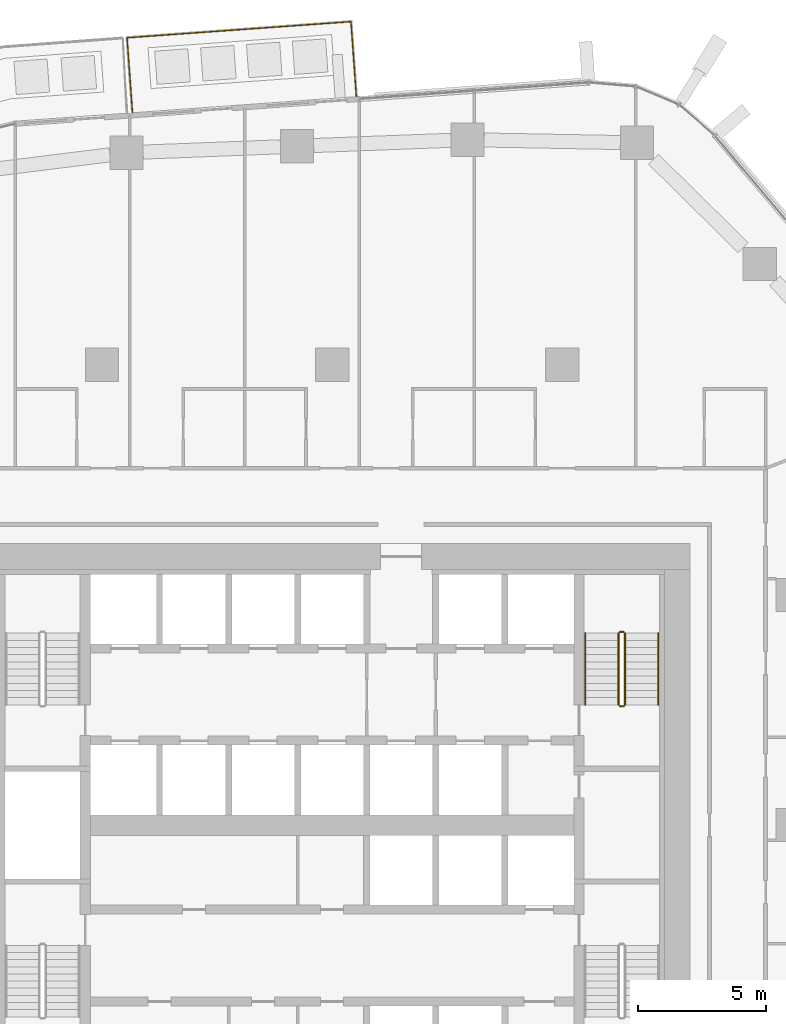
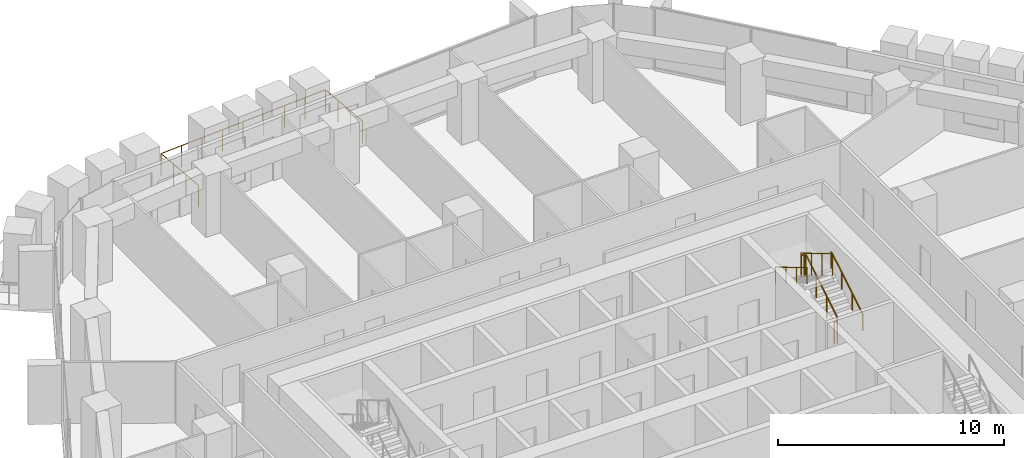
# One storey, part 23 of 24: 7 railings.
"""IFC4 building model written with IfcOpenShell, lengths in metres."""

from ifc_helpers import new_model, si_unit, direction, frame, origin, origin_2d, place, context, subcontext, project, spatial, circle, extrude, material, type_object, element, save


model = new_model("IFC4")

# Units and contexts
model_context = context("Model", 3, precision=1e-05, world=origin(), true_north=direction((0.0, 1.0)))
body_context = subcontext(model_context, "Body", "Model", "MODEL_VIEW")
ifc_project = project(units=[si_unit("LENGTHUNIT", "METRE"), si_unit("AREAUNIT", "SQUARE_METRE"), si_unit("VOLUMEUNIT", "CUBIC_METRE"), si_unit("PLANEANGLEUNIT", "RADIAN"), si_unit("MASSUNIT", "GRAM", prefix="KILO")], contexts=[model_context])

# Site, building, storey
site_placement = place(None, origin())
site = spatial("IfcSite", under=ifc_project, at=site_placement, CompositionType="ELEMENT")
building_placement = place(site_placement, origin())
building = spatial("IfcBuilding", under=site, at=building_placement, Name="Dongbaek Canopy Tower", CompositionType="ELEMENT")
storey_placement = place(building_placement, frame((0.0, 0.0, 106.300048828125)))
storey = spatial("IfcBuildingStorey", under=building, at=storey_placement, Name="L22", CompositionType="ELEMENT", Elevation=106.300048828125)

# Railings
ifc_material_1 = material(Name="Stainless steel", Category="steel")
railing_type_1 = type_object("IfcRailingType", Name="Balcony balustrade 1200", PredefinedType="BALUSTRADE", material=ifc_material_1)
railing_1_placement = place(storey_placement, frame((0.946044921875, 28.480712890625, 0.0)))
element("IfcRailing", 1, at=railing_1_placement, inside=storey, type_object=railing_type_1, Name="Balcony guard L22 2", PredefinedType="BALUSTRADE", context=body_context, shape_type="SweptSolid", body=[
    extrude(circle(Radius=0.02392578125, at=origin_2d()), frame((0.0, 0.0, 1.17578125), z_axis=(-0.071748667898, 0.997422743201, 0.0), x_axis=(-0.997422743201, -0.071748667898, 0.0)), (0.0, 0.0, 1.0), 2.93994140625),
    extrude(circle(Radius=0.02392578125, at=origin_2d()), frame((-0.2109375, 2.932373046875, 1.17578125), z_axis=(-0.997424550717, -0.071723536073, 0.0), x_axis=(0.071723536073, -0.997424550717, 0.0)), (0.0, 0.0, 1.0), 8.775390625),
    extrude(circle(Radius=0.02392578125, at=origin_2d()), frame((-8.963623046875, 2.302978515625, 1.17578125), z_axis=(0.071742725561, -0.99742317064, 0.0), x_axis=(0.99742317064, 0.071742725561, 0.0)), (0.0, 0.0, 1.0), 2.940185546875),
    extrude(circle(Radius=0.02099609375, at=origin_2d()), origin(), (0.0, 0.0, 1.0), 1.15185546875),
    extrude(circle(Radius=0.02099609375, at=origin_2d()), frame((-0.0703125, 0.9775390625, 0.0)), (0.0, 0.0, 1.0), 1.15185546875),
    extrude(circle(Radius=0.02099609375, at=origin_2d()), frame((-0.140625, 1.954833984375, 0.0)), (0.0, 0.0, 1.0), 1.15185546875),
    extrude(circle(Radius=0.02099609375, at=origin_2d()), frame((-0.2109375, 2.932373046875, 0.0)), (0.0, 0.0, 1.0), 1.15185546875),
    extrude(circle(Radius=0.02099609375, at=origin_2d()), frame((-1.304931640625, 2.853759765625, 0.0)), (0.0, 0.0, 1.0), 1.15185546875),
    extrude(circle(Radius=0.02099609375, at=origin_2d()), frame((-2.399169921875, 2.77490234375, 0.0)), (0.0, 0.0, 1.0), 1.15185546875),
    extrude(circle(Radius=0.02099609375, at=origin_2d()), frame((-3.4931640625, 2.6962890625, 0.0)), (0.0, 0.0, 1.0), 1.15185546875),
    extrude(circle(Radius=0.02099609375, at=origin_2d()), frame((-4.58740234375, 2.61767578125, 0.0)), (0.0, 0.0, 1.0), 1.15185546875),
    extrude(circle(Radius=0.02099609375, at=origin_2d()), frame((-5.681396484375, 2.5390625, 0.0)), (0.0, 0.0, 1.0), 1.15185546875),
    extrude(circle(Radius=0.02099609375, at=origin_2d()), frame((-6.775390625, 2.46044921875, 0.0)), (0.0, 0.0, 1.0), 1.15185546875),
    extrude(circle(Radius=0.02099609375, at=origin_2d()), frame((-7.86962890625, 2.381591796875, 0.0)), (0.0, 0.0, 1.0), 1.15185546875),
    extrude(circle(Radius=0.02099609375, at=origin_2d()), frame((-8.963623046875, 2.302978515625, 0.0)), (0.0, 0.0, 1.0), 1.15185546875),
    extrude(circle(Radius=0.02099609375, at=origin_2d()), frame((-8.893310546875, 1.325439453125, 0.0)), (0.0, 0.0, 1.0), 1.15185546875),
    extrude(circle(Radius=0.02099609375, at=origin_2d()), frame((-8.822998046875, 0.347900390625, 0.0)), (0.0, 0.0, 1.0), 1.15185546875),
    extrude(circle(Radius=0.02099609375, at=origin_2d()), frame((-8.752685546875, -0.629638671875, 0.0)), (0.0, 0.0, 1.0), 1.15185546875),
])
ifc_material_2 = material(Name="Stainless steel tube and balusters", Category="steel")
railing_type_2 = type_object("IfcRailingType", Name="Stair guard 1200", PredefinedType="GUARDRAIL", material=ifc_material_2)
railing_2_placement = place(storey_placement, frame((11.449951171875, 4.699951171875, 0.168212890625)))
element("IfcRailing", 2, at=railing_2_placement, inside=storey, type_object=railing_type_2, Name="L22 ST-A stair guard 1", PredefinedType="GUARDRAIL", context=body_context, shape_type="SweptSolid", body=[
    extrude(circle(Radius=0.02392578125, at=origin_2d()), frame((0.0, 0.0, 1.17578125), z_axis=(0.0, 0.857275202839, 0.514858452973), x_axis=(-1.0, 0.0, 0.0)), (0.0, 0.0, 1.0), 3.26611328125),
    extrude(circle(Radius=0.02099609375, at=origin_2d()), origin(), (0.0, 0.0, 1.0), 1.15185546875),
    extrude(circle(Radius=0.02099609375, at=origin_2d()), frame((0.0, 0.933349609375, 0.560546875)), (0.0, 0.0, 1.0), 1.15185546875),
    extrude(circle(Radius=0.02099609375, at=origin_2d()), frame((0.0, 1.86669921875, 1.12109375)), (0.0, 0.0, 1.0), 1.15185546875),
    extrude(circle(Radius=0.02099609375, at=origin_2d()), frame((0.0, 2.800048828125, 1.681640625)), (0.0, 0.0, 1.0), 1.15185546875),
])
railing_3_placement = place(storey_placement, frame((11.39990234375, 7.550048828125, 1.849853515625)))
element("IfcRailing", 3, at=railing_3_placement, inside=storey, type_object=railing_type_2, Name="L22 ST-A stair guard 2", PredefinedType="GUARDRAIL", context=body_context, shape_type="SweptSolid", body=[
    extrude(circle(Radius=0.02392578125, at=origin_2d()), frame((0.0, 0.0, 1.17578125), z_axis=(-1.0, 0.0, 0.0), x_axis=(0.0, -1.0, 0.0)), (0.0, 0.0, 1.0), 0.14990234375),
    extrude(circle(Radius=0.02099609375, at=origin_2d()), origin(), (0.0, 0.0, 1.0), 1.15185546875),
    extrude(circle(Radius=0.02099609375, at=origin_2d()), frame((-0.14990234375, 0.0, 0.0)), (0.0, 0.0, 1.0), 1.15185546875),
])
railing_4_placement = place(storey_placement, frame((11.199951171875, 7.5, 2.01806640625)))
element("IfcRailing", 4, at=railing_4_placement, inside=storey, type_object=railing_type_2, Name="L22 ST-A stair guard 3", PredefinedType="GUARDRAIL", context=body_context, shape_type="SweptSolid", body=[
    extrude(circle(Radius=0.02392578125, at=origin_2d()), frame((0.0, 0.0, 1.17578125), z_axis=(0.0, -0.857242210791, 0.514913383045), x_axis=(1.0, 0.0, 0.0)), (0.0, 0.0, 1.0), 3.266357421875),
    extrude(circle(Radius=0.02099609375, at=origin_2d()), origin(), (0.0, 0.0, 1.0), 1.15185546875),
    extrude(circle(Radius=0.02099609375, at=origin_2d()), frame((0.0, -0.933349609375, 0.560546875)), (0.0, 0.0, 1.0), 1.15185546875),
    extrude(circle(Radius=0.02099609375, at=origin_2d()), frame((0.0, -1.86669921875, 1.121337890625)), (0.0, 0.0, 1.0), 1.15185546875),
    extrude(circle(Radius=0.02099609375, at=origin_2d()), frame((0.0, -2.800048828125, 1.681884765625)), (0.0, 0.0, 1.0), 1.15185546875),
])
railing_5_placement = place(storey_placement, frame((11.39990234375, 4.64990234375, 0.0)))
element("IfcRailing", 5, at=railing_5_placement, inside=storey, type_object=railing_type_2, Name="L22 ST-A stair guard 4", PredefinedType="GUARDRAIL", context=body_context, shape_type="SweptSolid", body=[
    extrude(circle(Radius=0.02392578125, at=origin_2d()), frame((0.0, 0.0, 1.17578125), z_axis=(-1.0, 0.0, 0.0), x_axis=(0.0, -1.0, 0.0)), (0.0, 0.0, 1.0), 0.14990234375),
    extrude(circle(Radius=0.02099609375, at=origin_2d()), origin(), (0.0, 0.0, 1.0), 1.15185546875),
    extrude(circle(Radius=0.02099609375, at=origin_2d()), frame((-0.14990234375, 0.0, 0.0)), (0.0, 0.0, 1.0), 1.15185546875),
])
ifc_material_3 = material(Name="Stainless steel tube", Category="steel")
railing_type_3 = type_object("IfcRailingType", Name="Stair handrail 900", PredefinedType="HANDRAIL", material=ifc_material_3)
railing_6_placement = place(storey_placement, frame((12.75, 4.699951171875, 0.168212890625)))
element("IfcRailing", 6, at=railing_6_placement, inside=storey, type_object=railing_type_3, Name="L22 ST-A stair handrail 1", PredefinedType="HANDRAIL", context=body_context, shape_type="SweptSolid", body=[
    extrude(circle(Radius=0.02392578125, at=origin_2d()), frame((0.0, 0.0, 0.8759765625), z_axis=(0.0, 0.857275202839, 0.514858452973), x_axis=(-1.0, 0.0, 0.0)), (0.0, 0.0, 1.0), 3.26611328125),
    extrude(circle(Radius=0.02099609375, at=origin_2d()), origin(), (0.0, 0.0, 1.0), 0.851806640625),
    extrude(circle(Radius=0.02099609375, at=origin_2d()), frame((0.0, 0.933349609375, 0.560546875)), (0.0, 0.0, 1.0), 0.851806640625),
    extrude(circle(Radius=0.02099609375, at=origin_2d()), frame((0.0, 1.86669921875, 1.12109375)), (0.0, 0.0, 1.0), 0.851806640625),
    extrude(circle(Radius=0.02099609375, at=origin_2d()), frame((0.0, 2.800048828125, 1.681640625)), (0.0, 0.0, 1.0), 0.851806640625),
])
railing_7_placement = place(storey_placement, frame((9.89990234375, 7.5, 2.01806640625)))
element("IfcRailing", 7, at=railing_7_placement, inside=storey, type_object=railing_type_3, Name="L22 ST-A stair handrail 2", PredefinedType="HANDRAIL", context=body_context, shape_type="SweptSolid", body=[
    extrude(circle(Radius=0.02392578125, at=origin_2d()), frame((0.0, 0.0, 0.8759765625), z_axis=(0.0, -0.857242210791, 0.514913383045), x_axis=(1.0, 0.0, 0.0)), (0.0, 0.0, 1.0), 3.266357421875),
    extrude(circle(Radius=0.02099609375, at=origin_2d()), origin(), (0.0, 0.0, 1.0), 0.851806640625),
    extrude(circle(Radius=0.02099609375, at=origin_2d()), frame((0.0, -0.933349609375, 0.560546875)), (0.0, 0.0, 1.0), 0.851806640625),
    extrude(circle(Radius=0.02099609375, at=origin_2d()), frame((0.0, -1.86669921875, 1.121337890625)), (0.0, 0.0, 1.0), 0.851806640625),
    extrude(circle(Radius=0.02099609375, at=origin_2d()), frame((0.0, -2.800048828125, 1.681884765625)), (0.0, 0.0, 1.0), 0.851806640625),
])

save(model, "model.ifc")
